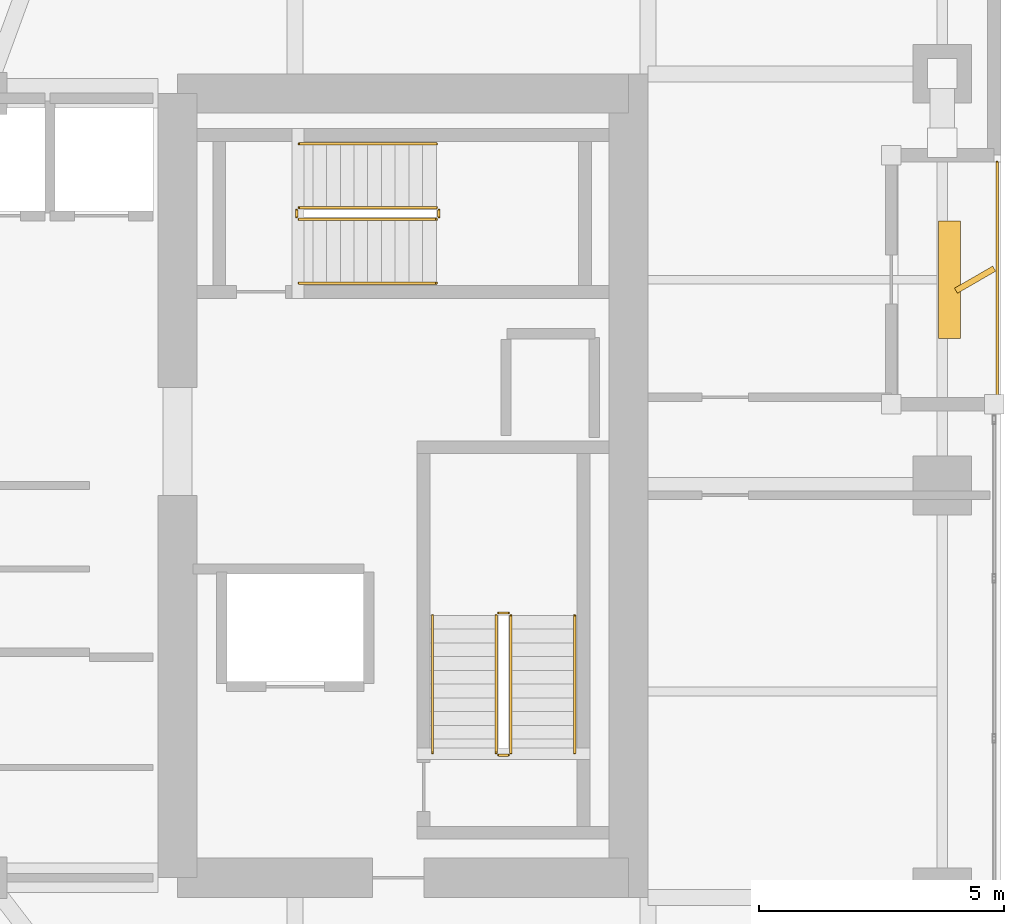
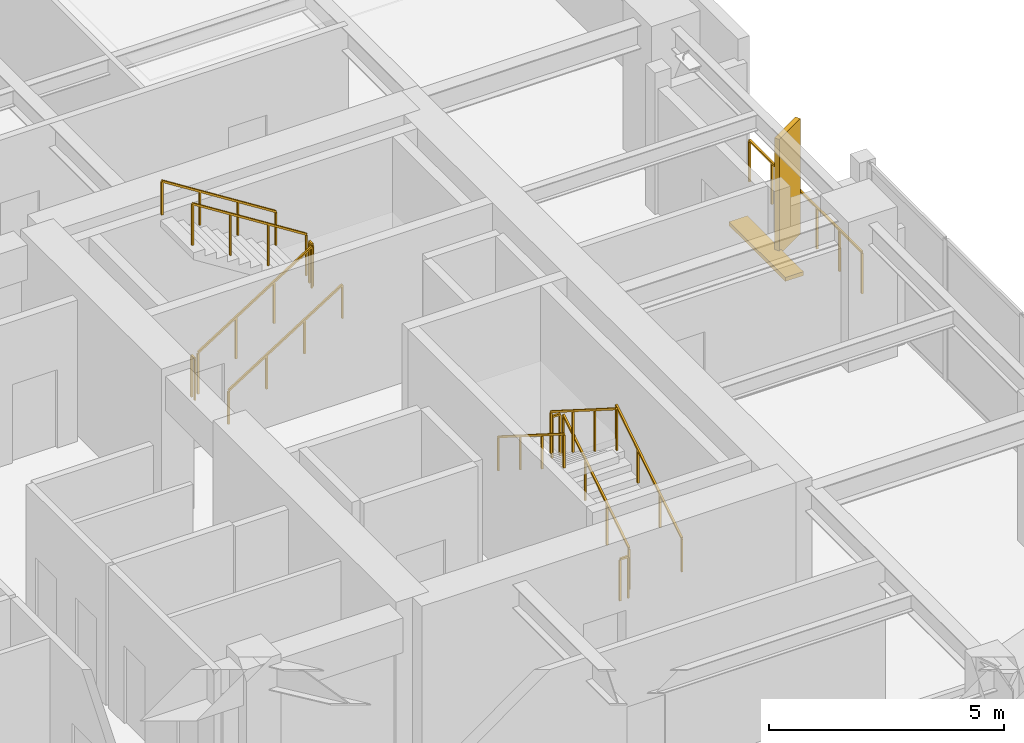
# One storey, part 29 of 30: 13 railings, 2 shading devices.
"""IFC4 building model written with IfcOpenShell, lengths in metres."""

from ifc_helpers import new_model, si_unit, direction, frame, origin, origin_2d, place, context, subcontext, project, spatial, rectangle, extrude, material, type_object, element, save


model = new_model("IFC4")

# Units and contexts
model_context = context("Model", 3, precision=1e-05, world=origin(), true_north=direction((0.0, 1.0)))
body_context = subcontext(model_context, "Body", "Model", "MODEL_VIEW")
ifc_project = project(units=[si_unit("LENGTHUNIT", "METRE"), si_unit("AREAUNIT", "SQUARE_METRE"), si_unit("VOLUMEUNIT", "CUBIC_METRE"), si_unit("PLANEANGLEUNIT", "RADIAN"), si_unit("MASSUNIT", "GRAM", prefix="KILO")], contexts=[model_context])

# Site, building, storey
site_placement = place(None, origin())
site = spatial("IfcSite", under=ifc_project, at=site_placement, CompositionType="ELEMENT")
building_placement = place(site_placement, origin())
building = spatial("IfcBuilding", under=site, at=building_placement, Name="Kiyonajd Concourse Tower", CompositionType="ELEMENT")
storey_placement = place(building_placement, frame((0.0, 0.0, 174.0)))
storey = spatial("IfcBuildingStorey", under=building, at=storey_placement, Name="L44", CompositionType="ELEMENT", Elevation=174.0)

# Railings
ifc_material_1 = material(Name="Thermally Broken Anodised Aluminium", Category="aluminium")
railing_type_1 = type_object("IfcRailingType", Name="RL-GRD-LOG", PredefinedType="GUARDRAIL", material=ifc_material_1)
railing_1_placement = place(storey_placement, frame((70.719970703125, 37.800048828125, 0.0)))
element("IfcRailing", 1, at=railing_1_placement, inside=storey, type_object=railing_type_1, Name="L44 Engawa Loggia Perimeter Guard LOG-E", PredefinedType="GUARDRAIL", context=body_context, shape_type="SweptSolid", body=[
    extrude(rectangle(XDim=0.048095703125, YDim=0.048095703125, at=origin_2d()), frame((0.0, 0.0, 1.076171875), z_axis=(0.0, 1.0, 0.0), x_axis=(-1.0, 0.0, 0.0)), (0.0, 0.0, 1.0), 4.800048828125),
    extrude(rectangle(XDim=0.0419921875, YDim=0.0419921875, at=origin_2d()), origin(), (0.0, 0.0, 1.0), 1.052001953125),
    extrude(rectangle(XDim=0.0419921875, YDim=0.0419921875, at=origin_2d()), frame((0.0, 0.9599609375, 0.0)), (0.0, 0.0, 1.0), 1.052001953125),
    extrude(rectangle(XDim=0.0419921875, YDim=0.0419921875, at=origin_2d()), frame((0.0, 1.919921875, 0.0)), (0.0, 0.0, 1.0), 1.052001953125),
    extrude(rectangle(XDim=0.0419921875, YDim=0.0419921875, at=origin_2d()), frame((0.0, 2.880126953125, 0.0)), (0.0, 0.0, 1.0), 1.052001953125),
    extrude(rectangle(XDim=0.0419921875, YDim=0.0419921875, at=origin_2d()), frame((0.0, 3.840087890625, 0.0)), (0.0, 0.0, 1.0), 1.052001953125),
    extrude(rectangle(XDim=0.0419921875, YDim=0.0419921875, at=origin_2d()), frame((0.0, 4.800048828125, 0.0)), (0.0, 0.0, 1.0), 1.052001953125),
])
ifc_material_2 = material(Name="Steel ASTM A500 Grade C", Category="steel")
railing_type_2 = type_object("IfcRailingType", Name="RL-GRD-STR", PredefinedType="GUARDRAIL", material=ifc_material_2)
railing_2_placement = place(storey_placement, frame((60.800048828125, 30.550048828125, 0.17724609375)))
element("IfcRailing", 2, at=railing_2_placement, inside=storey, type_object=railing_type_2, Name="L44 ST2 stair guard 1", PredefinedType="GUARDRAIL", context=body_context, shape_type="SweptSolid", body=[
    extrude(rectangle(XDim=0.048095703125, YDim=0.048095703125, at=origin_2d()), frame((0.0, 0.0, 1.076171875), z_axis=(0.0, 0.844908973607, 0.534910110503), x_axis=(-1.0, 0.0, 0.0)), (0.0, 0.0, 1.0), 3.31396484375),
    extrude(rectangle(XDim=0.0419921875, YDim=0.0419921875, at=origin_2d()), origin(), (0.0, 0.0, 1.0), 1.052001953125),
    extrude(rectangle(XDim=0.0419921875, YDim=0.0419921875, at=origin_2d()), frame((0.0, 0.933349609375, 0.5908203125)), (0.0, 0.0, 1.0), 1.052001953125),
    extrude(rectangle(XDim=0.0419921875, YDim=0.0419921875, at=origin_2d()), frame((0.0, 1.86669921875, 1.181884765625)), (0.0, 0.0, 1.0), 1.052001953125),
    extrude(rectangle(XDim=0.0419921875, YDim=0.0419921875, at=origin_2d()), frame((0.0, 2.800048828125, 1.772705078125)), (0.0, 0.0, 1.0), 1.052001953125),
])
railing_3_placement = place(storey_placement, frame((60.75, 33.39990234375, 1.949951171875)))
element("IfcRailing", 3, at=railing_3_placement, inside=storey, type_object=railing_type_2, Name="L44 ST2 stair guard 2", PredefinedType="GUARDRAIL", context=body_context, shape_type="SweptSolid", body=[
    extrude(rectangle(XDim=0.048095703125, YDim=0.048095703125, at=origin_2d()), frame((0.0, 0.0, 1.076171875), z_axis=(-1.0, 0.0, 0.0), x_axis=(0.0, -1.0, 0.0)), (0.0, 0.0, 1.0), 0.199951171875),
    extrude(rectangle(XDim=0.0419921875, YDim=0.0419921875, at=origin_2d()), origin(), (0.0, 0.0, 1.0), 1.052001953125),
    extrude(rectangle(XDim=0.0419921875, YDim=0.0419921875, at=origin_2d()), frame((-0.199951171875, 0.0, 0.0)), (0.0, 0.0, 1.0), 1.052001953125),
])
railing_4_placement = place(storey_placement, frame((60.5, 33.35009765625, 2.127197265625)))
element("IfcRailing", 4, at=railing_4_placement, inside=storey, type_object=railing_type_2, Name="L44 ST2 stair guard 3", PredefinedType="GUARDRAIL", context=body_context, shape_type="SweptSolid", body=[
    extrude(rectangle(XDim=0.048095703125, YDim=0.048095703125, at=origin_2d()), frame((0.0, 0.0, 1.076171875), z_axis=(0.0, -0.844908973607, 0.534910110503), x_axis=(1.0, 0.0, 0.0)), (0.0, 0.0, 1.0), 3.31396484375),
    extrude(rectangle(XDim=0.0419921875, YDim=0.0419921875, at=origin_2d()), origin(), (0.0, 0.0, 1.0), 1.052001953125),
    extrude(rectangle(XDim=0.0419921875, YDim=0.0419921875, at=origin_2d()), frame((0.0, -0.933349609375, 0.5908203125)), (0.0, 0.0, 1.0), 1.052001953125),
    extrude(rectangle(XDim=0.0419921875, YDim=0.0419921875, at=origin_2d()), frame((0.0, -1.86669921875, 1.181884765625)), (0.0, 0.0, 1.0), 1.052001953125),
    extrude(rectangle(XDim=0.0419921875, YDim=0.0419921875, at=origin_2d()), frame((0.0, -2.800048828125, 1.772705078125)), (0.0, 0.0, 1.0), 1.052001953125),
])
railing_5_placement = place(storey_placement, frame((60.75, 30.5, 0.0)))
element("IfcRailing", 5, at=railing_5_placement, inside=storey, type_object=railing_type_2, Name="L44 ST2 stair guard 4", PredefinedType="GUARDRAIL", context=body_context, shape_type="SweptSolid", body=[
    extrude(rectangle(XDim=0.048095703125, YDim=0.048095703125, at=origin_2d()), frame((0.0, 0.0, 1.076171875), z_axis=(-1.0, 0.0, 0.0), x_axis=(0.0, -1.0, 0.0)), (0.0, 0.0, 1.0), 0.199951171875),
    extrude(rectangle(XDim=0.0419921875, YDim=0.0419921875, at=origin_2d()), origin(), (0.0, 0.0, 1.0), 1.052001953125),
    extrude(rectangle(XDim=0.0419921875, YDim=0.0419921875, at=origin_2d()), frame((-0.199951171875, 0.0, 0.0)), (0.0, 0.0, 1.0), 1.052001953125),
])
railing_6_placement = place(storey_placement, frame((56.47998046875, 41.429931640625, 0.17724609375)))
element("IfcRailing", 6, at=railing_6_placement, inside=storey, type_object=railing_type_2, Name="L44 ST3 stair guard 1", PredefinedType="GUARDRAIL", context=body_context, shape_type="SweptSolid", body=[
    extrude(rectangle(XDim=0.048095703125, YDim=0.048095703125, at=origin_2d()), frame((0.0, 0.0, 1.076171875), z_axis=(0.844908973607, 0.0, 0.534910110503), x_axis=(0.0, 1.0, 0.0)), (0.0, 0.0, 1.0), 3.31396484375),
    extrude(rectangle(XDim=0.0419921875, YDim=0.0419921875, at=origin_2d()), origin(), (0.0, 0.0, 1.0), 1.052001953125),
    extrude(rectangle(XDim=0.0419921875, YDim=0.0419921875, at=origin_2d()), frame((0.933349609375, 0.0, 0.5908203125)), (0.0, 0.0, 1.0), 1.052001953125),
    extrude(rectangle(XDim=0.0419921875, YDim=0.0419921875, at=origin_2d()), frame((1.86669921875, 0.0, 1.181884765625)), (0.0, 0.0, 1.0), 1.052001953125),
    extrude(rectangle(XDim=0.0419921875, YDim=0.0419921875, at=origin_2d()), frame((2.800048828125, 0.0, 1.772705078125)), (0.0, 0.0, 1.0), 1.052001953125),
])
railing_7_placement = place(storey_placement, frame((59.330078125, 41.47998046875, 1.949951171875)))
element("IfcRailing", 7, at=railing_7_placement, inside=storey, type_object=railing_type_2, Name="L44 ST3 stair guard 2", PredefinedType="GUARDRAIL", context=body_context, shape_type="SweptSolid", body=[
    extrude(rectangle(XDim=0.048095703125, YDim=0.048095703125, at=origin_2d()), frame((0.0, 0.0, 1.076171875), z_axis=(0.0, 1.0, 0.0), x_axis=(-1.0, 0.0, 0.0)), (0.0, 0.0, 1.0), 0.14013671875),
    extrude(rectangle(XDim=0.0419921875, YDim=0.0419921875, at=origin_2d()), origin(), (0.0, 0.0, 1.0), 1.052001953125),
    extrude(rectangle(XDim=0.0419921875, YDim=0.0419921875, at=origin_2d()), frame((0.0, 0.14013671875, 0.0)), (0.0, 0.0, 1.0), 1.052001953125),
])
railing_8_placement = place(storey_placement, frame((59.280029296875, 41.669921875, 2.127197265625)))
element("IfcRailing", 8, at=railing_8_placement, inside=storey, type_object=railing_type_2, Name="L44 ST3 stair guard 3", PredefinedType="GUARDRAIL", context=body_context, shape_type="SweptSolid", body=[
    extrude(rectangle(XDim=0.048095703125, YDim=0.048095703125, at=origin_2d()), frame((0.0, 0.0, 1.076171875), z_axis=(-0.844908973607, 0.0, 0.534910110503), x_axis=(0.0, -1.0, 0.0)), (0.0, 0.0, 1.0), 3.31396484375),
    extrude(rectangle(XDim=0.0419921875, YDim=0.0419921875, at=origin_2d()), origin(), (0.0, 0.0, 1.0), 1.052001953125),
    extrude(rectangle(XDim=0.0419921875, YDim=0.0419921875, at=origin_2d()), frame((-0.933349609375, 0.0, 0.5908203125)), (0.0, 0.0, 1.0), 1.052001953125),
    extrude(rectangle(XDim=0.0419921875, YDim=0.0419921875, at=origin_2d()), frame((-1.86669921875, 0.0, 1.181884765625)), (0.0, 0.0, 1.0), 1.052001953125),
    extrude(rectangle(XDim=0.0419921875, YDim=0.0419921875, at=origin_2d()), frame((-2.800048828125, 0.0, 1.772705078125)), (0.0, 0.0, 1.0), 1.052001953125),
])
railing_9_placement = place(storey_placement, frame((56.429931640625, 41.47998046875, 0.0)))
element("IfcRailing", 9, at=railing_9_placement, inside=storey, type_object=railing_type_2, Name="L44 ST3 stair guard 4", PredefinedType="GUARDRAIL", context=body_context, shape_type="SweptSolid", body=[
    extrude(rectangle(XDim=0.048095703125, YDim=0.048095703125, at=origin_2d()), frame((0.0, 0.0, 1.076171875), z_axis=(0.0, 1.0, 0.0), x_axis=(-1.0, 0.0, 0.0)), (0.0, 0.0, 1.0), 0.14013671875),
    extrude(rectangle(XDim=0.0419921875, YDim=0.0419921875, at=origin_2d()), origin(), (0.0, 0.0, 1.0), 1.052001953125),
    extrude(rectangle(XDim=0.0419921875, YDim=0.0419921875, at=origin_2d()), frame((0.0, 0.14013671875, 0.0)), (0.0, 0.0, 1.0), 1.052001953125),
])
ifc_material_3 = material(Name="Brushed Stainless Steel Cab Assembly", Category="steel")
railing_type_3 = type_object("IfcRailingType", Name="RL-HND-900", PredefinedType="HANDRAIL", material=ifc_material_3)
railing_10_placement = place(storey_placement, frame((62.10009765625, 30.550048828125, 0.17724609375)))
element("IfcRailing", 10, at=railing_10_placement, inside=storey, type_object=railing_type_3, Name="L44 ST2 stair handrail 1", PredefinedType="HANDRAIL", context=body_context, shape_type="SweptSolid", body=[
    extrude(rectangle(XDim=0.048095703125, YDim=0.048095703125, at=origin_2d()), frame((0.0, 0.0, 0.8759765625), z_axis=(0.0, 0.844908973607, 0.534910110503), x_axis=(-1.0, 0.0, 0.0)), (0.0, 0.0, 1.0), 3.31396484375),
    extrude(rectangle(XDim=0.0419921875, YDim=0.0419921875, at=origin_2d()), origin(), (0.0, 0.0, 1.0), 0.851806640625),
    extrude(rectangle(XDim=0.0419921875, YDim=0.0419921875, at=origin_2d()), frame((0.0, 0.933349609375, 0.5908203125)), (0.0, 0.0, 1.0), 0.851806640625),
    extrude(rectangle(XDim=0.0419921875, YDim=0.0419921875, at=origin_2d()), frame((0.0, 1.86669921875, 1.181884765625)), (0.0, 0.0, 1.0), 0.851806640625),
    extrude(rectangle(XDim=0.0419921875, YDim=0.0419921875, at=origin_2d()), frame((0.0, 2.800048828125, 1.772705078125)), (0.0, 0.0, 1.0), 0.851806640625),
])
railing_11_placement = place(storey_placement, frame((59.199951171875, 33.35009765625, 2.127197265625)))
element("IfcRailing", 11, at=railing_11_placement, inside=storey, type_object=railing_type_3, Name="L44 ST2 stair handrail 2", PredefinedType="HANDRAIL", context=body_context, shape_type="SweptSolid", body=[
    extrude(rectangle(XDim=0.048095703125, YDim=0.048095703125, at=origin_2d()), frame((0.0, 0.0, 0.8759765625), z_axis=(0.0, -0.844908973607, 0.534910110503), x_axis=(1.0, 0.0, 0.0)), (0.0, 0.0, 1.0), 3.31396484375),
    extrude(rectangle(XDim=0.0419921875, YDim=0.0419921875, at=origin_2d()), origin(), (0.0, 0.0, 1.0), 0.851806640625),
    extrude(rectangle(XDim=0.0419921875, YDim=0.0419921875, at=origin_2d()), frame((0.0, -0.933349609375, 0.5908203125)), (0.0, 0.0, 1.0), 0.851806640625),
    extrude(rectangle(XDim=0.0419921875, YDim=0.0419921875, at=origin_2d()), frame((0.0, -1.86669921875, 1.181884765625)), (0.0, 0.0, 1.0), 0.851806640625),
    extrude(rectangle(XDim=0.0419921875, YDim=0.0419921875, at=origin_2d()), frame((0.0, -2.800048828125, 1.772705078125)), (0.0, 0.0, 1.0), 0.851806640625),
])
railing_12_placement = place(storey_placement, frame((56.47998046875, 40.1298828125, 0.17724609375)))
element("IfcRailing", 12, at=railing_12_placement, inside=storey, type_object=railing_type_3, Name="L44 ST3 stair handrail 1", PredefinedType="HANDRAIL", context=body_context, shape_type="SweptSolid", body=[
    extrude(rectangle(XDim=0.048095703125, YDim=0.048095703125, at=origin_2d()), frame((0.0, 0.0, 0.8759765625), z_axis=(0.844908973607, 0.0, 0.534910110503), x_axis=(0.0, 1.0, 0.0)), (0.0, 0.0, 1.0), 3.31396484375),
    extrude(rectangle(XDim=0.0419921875, YDim=0.0419921875, at=origin_2d()), origin(), (0.0, 0.0, 1.0), 0.851806640625),
    extrude(rectangle(XDim=0.0419921875, YDim=0.0419921875, at=origin_2d()), frame((0.933349609375, 0.0, 0.5908203125)), (0.0, 0.0, 1.0), 0.851806640625),
    extrude(rectangle(XDim=0.0419921875, YDim=0.0419921875, at=origin_2d()), frame((1.86669921875, 0.0, 1.181884765625)), (0.0, 0.0, 1.0), 0.851806640625),
    extrude(rectangle(XDim=0.0419921875, YDim=0.0419921875, at=origin_2d()), frame((2.800048828125, 0.0, 1.772705078125)), (0.0, 0.0, 1.0), 0.851806640625),
])
railing_13_placement = place(storey_placement, frame((59.280029296875, 42.969970703125, 2.127197265625)))
element("IfcRailing", 13, at=railing_13_placement, inside=storey, type_object=railing_type_3, Name="L44 ST3 stair handrail 2", PredefinedType="HANDRAIL", context=body_context, shape_type="SweptSolid", body=[
    extrude(rectangle(XDim=0.048095703125, YDim=0.048095703125, at=origin_2d()), frame((0.0, 0.0, 0.8759765625), z_axis=(-0.844908973607, 0.0, 0.534910110503), x_axis=(0.0, -1.0, 0.0)), (0.0, 0.0, 1.0), 3.31396484375),
    extrude(rectangle(XDim=0.0419921875, YDim=0.0419921875, at=origin_2d()), origin(), (0.0, 0.0, 1.0), 0.851806640625),
    extrude(rectangle(XDim=0.0419921875, YDim=0.0419921875, at=origin_2d()), frame((-0.933349609375, 0.0, 0.5908203125)), (0.0, 0.0, 1.0), 0.851806640625),
    extrude(rectangle(XDim=0.0419921875, YDim=0.0419921875, at=origin_2d()), frame((-1.86669921875, 0.0, 1.181884765625)), (0.0, 0.0, 1.0), 0.851806640625),
    extrude(rectangle(XDim=0.0419921875, YDim=0.0419921875, at=origin_2d()), frame((-2.800048828125, 0.0, 1.772705078125)), (0.0, 0.0, 1.0), 0.851806640625),
])

# Shading devices
ifc_material_4 = material(Name="Precast concrete C50/60", Category="concrete")
shading_device_type_1 = type_object("IfcShadingDeviceType", Name="SH-FIN-900", PredefinedType="USERDEFINED", material=ifc_material_4)
shading_device_1_placement = place(storey_placement, frame((70.27001953125, 40.199951171875, 0.0), z_axis=(0.0, 0.0, 1.0), x_axis=(0.866025403784, 0.5, 0.0)))
element("IfcShadingDevice", 14, at=shading_device_1_placement, inside=storey, type_object=shading_device_type_1, Name="L44 Angled Koshi Solar Fin LOG-E", ObjectType="FIN", PredefinedType="USERDEFINED", context=body_context, shape_type="SweptSolid", body=[
    extrude(rectangle(XDim=0.89990234375, YDim=0.1201171875, at=origin_2d()), origin(), (0.0, 0.0, 1.0), 3.0),
])
shading_device_type_2 = type_object("IfcShadingDeviceType", Name="SH-LVR-600", PredefinedType="JALOUSIE", material=ifc_material_1)
shading_device_2_placement = place(storey_placement, frame((69.75, 40.199951171875, 0.0), z_axis=(0.0, 0.0, 1.0), x_axis=(0.0, 1.0, 0.0)))
element("IfcShadingDevice", 15, at=shading_device_2_placement, inside=storey, type_object=shading_device_type_2, Name="L44 Loggia Threshold Louver LOG-E", PredefinedType="JALOUSIE", context=body_context, shape_type="SweptSolid", body=[
    extrude(rectangle(XDim=2.39990234375, YDim=0.449951171875, at=origin_2d()), origin(), (0.0, 0.0, 1.0), 0.10009765625),
])

save(model, "model.ifc")
